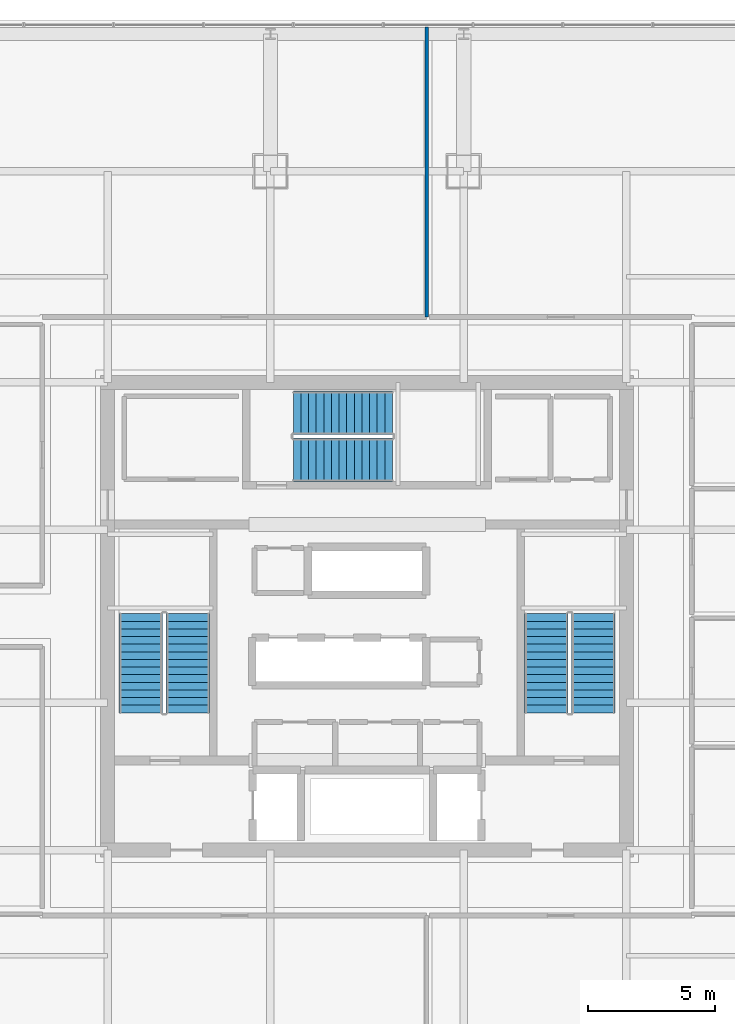
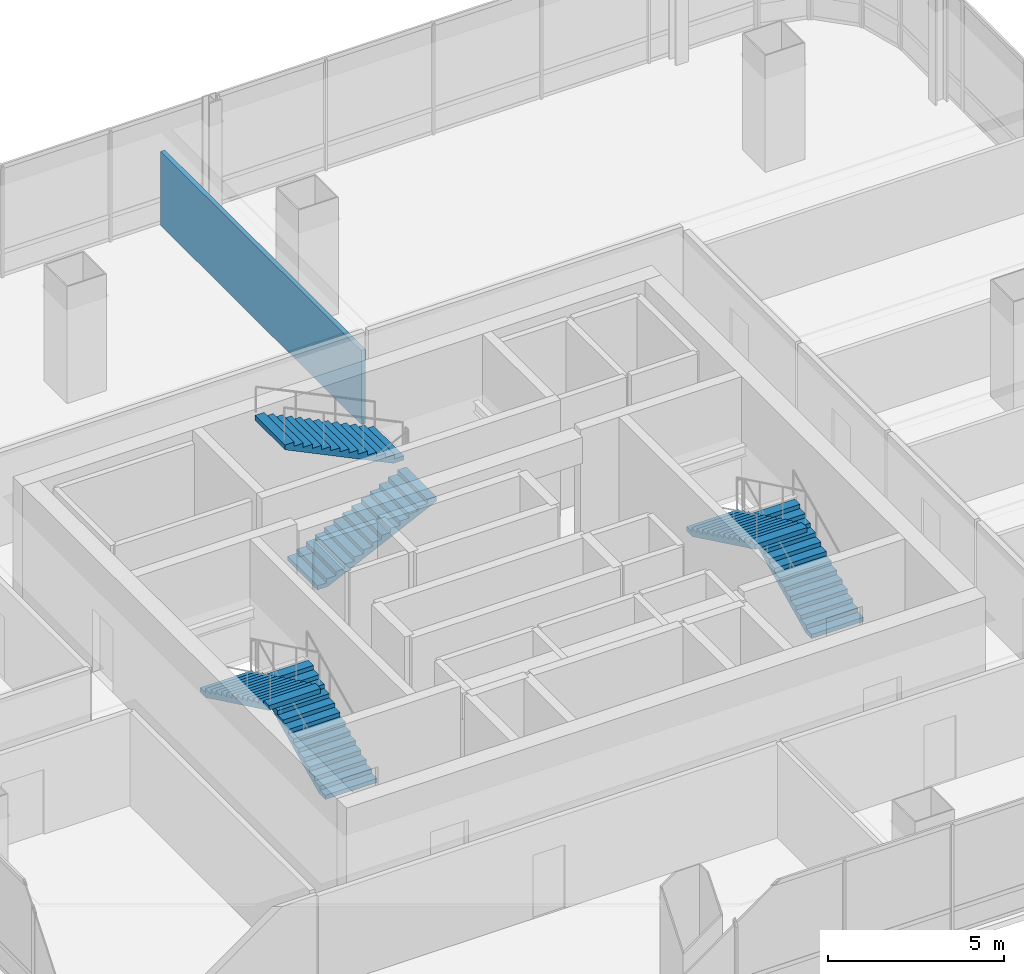
# One storey, part 35 of 39: 6 stair flights, 1 wall, 3 elements without a shape of their own.
"""IFC4 building model written with IfcOpenShell, lengths in metres."""

from ifc_helpers import new_model, si_unit, direction, frame, frame_2d, origin, place, context, subcontext, project, spatial, polyline, rectangle, outline, extrude, material, layer, layer_set, type_object, element, aggregate, save


model = new_model("IFC4")

# Units and contexts
model_context = context("Model", 3, precision=1e-05, world=origin(), true_north=direction((0.0, 1.0)))
body_context = subcontext(model_context, "Body", "Model", "MODEL_VIEW")
ifc_project = project(units=[si_unit("LENGTHUNIT", "METRE"), si_unit("AREAUNIT", "SQUARE_METRE"), si_unit("VOLUMEUNIT", "CUBIC_METRE"), si_unit("PLANEANGLEUNIT", "RADIAN"), si_unit("MASSUNIT", "GRAM", prefix="KILO")], contexts=[model_context])

# Site, building, storey
site_placement = place(None, origin())
site = spatial("IfcSite", under=ifc_project, at=site_placement, CompositionType="ELEMENT")
building_placement = place(site_placement, origin())
building = spatial("IfcBuilding", under=site, at=building_placement, Name="Punatoya Terracotta Tower", CompositionType="ELEMENT")
storey_placement = place(building_placement, frame((0.0, 0.0, 275.699951171875)))
storey = spatial("IfcBuildingStorey", under=building, at=storey_placement, Name="L65", CompositionType="ELEMENT", Elevation=275.699951171875)

# Wall
ifc_material_1 = material(Name="Acoustic Gypsum + Steel Stud", Category="steel")
ifc_layer = layer(ifc_material_1, 0.139892578125)
ifc_layer_set = layer_set([ifc_layer], Name="Acoustic Gypsum + Steel Stud")
wall_type = type_object("IfcWallType", Name="WL-OFF-140", PredefinedType="PARTITIONING", material=ifc_layer_set)
wall_placement = place(storey_placement, frame((2.340087890625, 23.169921875, 0.0), z_axis=(0.0, 0.0, 1.0), x_axis=(0.0, -1.0, 0.0)))
element("IfcWall", 1, at=wall_placement, inside=storey, type_object=wall_type, Name="L65 Quantitative Practice Office Partition 41", PredefinedType="PARTITIONING", context=body_context, shape_type="SweptSolid", body=[
    extrude(rectangle(XDim=11.39990234375, YDim=0.139892578125, at=frame_2d((5.699951171875, 0.0))), origin(), (0.0, 0.0, 1.0), 2.56396484375),
])

# Stair, stair flights
ifc_material_2 = material(Name="Concrete C40/50", Category="concrete")
stair_type_1 = type_object("IfcStairType", Name="STR-CORE-1550", PredefinedType="HALF_TURN_STAIR", material=ifc_material_2)
stair_1_placement = place(storey_placement, origin())
stair_1 = element("IfcStair", 2, at=stair_1_placement, inside=storey, type_object=stair_type_1, Name="L65 Protected Core Exit Stair ST-1", PredefinedType="HALF_TURN_STAIR")
stair_flight_type_1 = type_object("IfcStairFlightType", Name="SFL-CORE-1550", PredefinedType="STRAIGHT", material=ifc_material_2)
stair_flight_1_placement = place(storey_placement, frame((-7.050048828125, -3.800048828125, 0.0), z_axis=(0.0, 0.0, 1.0), x_axis=(0.0, 1.0, 0.0)))
stair_flight_1 = element("IfcStairFlight", 3, at=stair_flight_1_placement, type_object=stair_flight_type_1, Name="ST-1 flight 1", NumberOfRisers=14, NumberOfTreads=13, PredefinedType="STRAIGHT", RiserHeight=0.144642857, TreadLength=0.3, context=body_context, shape_type="SweptSolid", body=[
    extrude(outline(polyline([(0.0, 0.0), (0.0, 0.14453125), (0.300048828125, 0.14453125), (0.300048828125, 0.289306640625), (0.60009765625, 0.289306640625), (0.60009765625, 0.433837890625), (0.89990234375, 0.433837890625), (0.89990234375, 0.57861328125), (1.199951171875, 0.57861328125), (1.199951171875, 0.72314453125), (1.5, 0.72314453125), (1.5, 0.867919921875), (1.800048828125, 0.867919921875), (1.800048828125, 1.012451171875), (2.10009765625, 1.012451171875), (2.10009765625, 1.1572265625), (2.39990234375, 1.1572265625), (2.39990234375, 1.3017578125), (2.699951171875, 1.3017578125), (2.699951171875, 1.446533203125), (3.0, 1.446533203125), (3.0, 1.591064453125), (3.300048828125, 1.591064453125), (3.300048828125, 1.735595703125), (3.60009765625, 1.735595703125), (3.60009765625, 1.88037109375), (3.89990234375, 1.88037109375), (3.89990234375, 2.02490234375), (3.89990234375, 1.7138671875), (0.34521484375, 0.0), (0.0, 0.0)])), frame((0.0, 0.85009765625, 0.0), z_axis=(0.0, -1.0, 0.0), x_axis=(1.0, 0.0, 0.0)), (0.0, 0.0, 1.0), 1.699951171875),
])
stair_flight_2_placement = place(storey_placement, frame((-8.89990234375, 0.10009765625, 2.025146484375), z_axis=(0.0, 0.0, 1.0), x_axis=(0.0, -1.0, 0.0)))
stair_flight_2 = element("IfcStairFlight", 4, at=stair_flight_2_placement, type_object=stair_flight_type_1, Name="ST-1 flight 2", NumberOfRisers=14, NumberOfTreads=13, PredefinedType="STRAIGHT", RiserHeight=0.144642857, TreadLength=0.3, context=body_context, shape_type="SweptSolid", body=[
    extrude(outline(polyline([(0.0, 0.0), (0.0, 0.14453125), (0.300048828125, 0.14453125), (0.300048828125, 0.289306640625), (0.60009765625, 0.289306640625), (0.60009765625, 0.433837890625), (0.89990234375, 0.433837890625), (0.89990234375, 0.57861328125), (1.199951171875, 0.57861328125), (1.199951171875, 0.72314453125), (1.5, 0.72314453125), (1.5, 0.867919921875), (1.800048828125, 0.867919921875), (1.800048828125, 1.012451171875), (2.10009765625, 1.012451171875), (2.10009765625, 1.1572265625), (2.39990234375, 1.1572265625), (2.39990234375, 1.3017578125), (2.699951171875, 1.3017578125), (2.699951171875, 1.446533203125), (3.0, 1.446533203125), (3.0, 1.591064453125), (3.300048828125, 1.591064453125), (3.300048828125, 1.735595703125), (3.60009765625, 1.735595703125), (3.60009765625, 1.88037109375), (3.89990234375, 1.88037109375), (3.89990234375, 2.02490234375), (3.89990234375, 1.7138671875), (0.34521484375, 0.0), (0.0, 0.0)])), frame((0.0, 0.85009765625, 0.0), z_axis=(0.0, -1.0, 0.0), x_axis=(1.0, 0.0, 0.0)), (0.0, 0.0, 1.0), 1.699951171875),
])
aggregate(stair_1, [stair_flight_1, stair_flight_2])

stair_type_2 = type_object("IfcStairType", Name="STR-LOB-1650", PredefinedType="HALF_TURN_STAIR", material=ifc_material_2)
stair_2_placement = place(storey_placement, origin())
stair_2 = element("IfcStair", 5, at=stair_2_placement, inside=storey, type_object=stair_type_2, Name="L65 Protected Core Exit Stair ST-2", PredefinedType="HALF_TURN_STAIR")
stair_flight_type_2 = type_object("IfcStairFlightType", Name="SFL-LOB-1650", PredefinedType="STRAIGHT", material=ifc_material_2)
stair_flight_3_placement = place(storey_placement, frame((8.89990234375, -3.800048828125, 0.0), z_axis=(0.0, 0.0, 1.0), x_axis=(0.0, 1.0, 0.0)))
stair_flight_3 = element("IfcStairFlight", 6, at=stair_flight_3_placement, type_object=stair_flight_type_2, Name="ST-2 flight 1", NumberOfRisers=14, NumberOfTreads=13, PredefinedType="STRAIGHT", RiserHeight=0.144642857, TreadLength=0.3, context=body_context, shape_type="SweptSolid", body=[
    extrude(outline(polyline([(0.0, 0.0), (0.0, 0.14453125), (0.300048828125, 0.14453125), (0.300048828125, 0.289306640625), (0.60009765625, 0.289306640625), (0.60009765625, 0.433837890625), (0.89990234375, 0.433837890625), (0.89990234375, 0.57861328125), (1.199951171875, 0.57861328125), (1.199951171875, 0.72314453125), (1.5, 0.72314453125), (1.5, 0.867919921875), (1.800048828125, 0.867919921875), (1.800048828125, 1.012451171875), (2.10009765625, 1.012451171875), (2.10009765625, 1.1572265625), (2.39990234375, 1.1572265625), (2.39990234375, 1.3017578125), (2.699951171875, 1.3017578125), (2.699951171875, 1.446533203125), (3.0, 1.446533203125), (3.0, 1.591064453125), (3.300048828125, 1.591064453125), (3.300048828125, 1.735595703125), (3.60009765625, 1.735595703125), (3.60009765625, 1.88037109375), (3.89990234375, 1.88037109375), (3.89990234375, 2.02490234375), (3.89990234375, 1.7138671875), (0.34521484375, 0.0), (0.0, 0.0)])), frame((0.0, 0.85009765625, 0.0), z_axis=(0.0, -1.0, 0.0), x_axis=(1.0, 0.0, 0.0)), (0.0, 0.0, 1.0), 1.699951171875),
])
stair_flight_4_placement = place(storey_placement, frame((7.050048828125, 0.10009765625, 2.025146484375), z_axis=(0.0, 0.0, 1.0), x_axis=(0.0, -1.0, 0.0)))
stair_flight_4 = element("IfcStairFlight", 7, at=stair_flight_4_placement, type_object=stair_flight_type_2, Name="ST-2 flight 2", NumberOfRisers=14, NumberOfTreads=13, PredefinedType="STRAIGHT", RiserHeight=0.144642857, TreadLength=0.3, context=body_context, shape_type="SweptSolid", body=[
    extrude(outline(polyline([(0.0, 0.0), (0.0, 0.14453125), (0.300048828125, 0.14453125), (0.300048828125, 0.289306640625), (0.60009765625, 0.289306640625), (0.60009765625, 0.433837890625), (0.89990234375, 0.433837890625), (0.89990234375, 0.57861328125), (1.199951171875, 0.57861328125), (1.199951171875, 0.72314453125), (1.5, 0.72314453125), (1.5, 0.867919921875), (1.800048828125, 0.867919921875), (1.800048828125, 1.012451171875), (2.10009765625, 1.012451171875), (2.10009765625, 1.1572265625), (2.39990234375, 1.1572265625), (2.39990234375, 1.3017578125), (2.699951171875, 1.3017578125), (2.699951171875, 1.446533203125), (3.0, 1.446533203125), (3.0, 1.591064453125), (3.300048828125, 1.591064453125), (3.300048828125, 1.735595703125), (3.60009765625, 1.735595703125), (3.60009765625, 1.88037109375), (3.89990234375, 1.88037109375), (3.89990234375, 2.02490234375), (3.89990234375, 1.7138671875), (0.34521484375, 0.0), (0.0, 0.0)])), frame((0.0, 0.85009765625, 0.0), z_axis=(0.0, -1.0, 0.0), x_axis=(1.0, 0.0, 0.0)), (0.0, 0.0, 1.0), 1.699951171875),
])
aggregate(stair_2, [stair_flight_3, stair_flight_4])

stair_type_3 = type_object("IfcStairType", Name="STR-TER-1450", PredefinedType="HALF_TURN_STAIR", material=ifc_material_2)
stair_3_placement = place(storey_placement, origin())
stair_3 = element("IfcStair", 8, at=stair_3_placement, inside=storey, type_object=stair_type_3, Name="L65 Protected Core Exit Stair ST-3", PredefinedType="HALF_TURN_STAIR")
stair_flight_type_3 = type_object("IfcStairFlightType", Name="SFL-TER-1450", PredefinedType="STRAIGHT", material=ifc_material_2)
stair_flight_5_placement = place(storey_placement, frame((-2.89990234375, 6.14990234375, 0.0), z_axis=(0.0, 0.0, 1.0), x_axis=(1.0, 0.0, 0.0)))
stair_flight_5 = element("IfcStairFlight", 9, at=stair_flight_5_placement, type_object=stair_flight_type_3, Name="ST-3 flight 1", NumberOfRisers=14, NumberOfTreads=13, PredefinedType="STRAIGHT", RiserHeight=0.144642857, TreadLength=0.3, context=body_context, shape_type="SweptSolid", body=[
    extrude(outline(polyline([(0.0, 0.0), (0.0, 0.14453125), (0.300048828125, 0.14453125), (0.300048828125, 0.289306640625), (0.60009765625, 0.289306640625), (0.60009765625, 0.433837890625), (0.89990234375, 0.433837890625), (0.89990234375, 0.57861328125), (1.199951171875, 0.57861328125), (1.199951171875, 0.72314453125), (1.5, 0.72314453125), (1.5, 0.867919921875), (1.800048828125, 0.867919921875), (1.800048828125, 1.012451171875), (2.10009765625, 1.012451171875), (2.10009765625, 1.1572265625), (2.39990234375, 1.1572265625), (2.39990234375, 1.3017578125), (2.699951171875, 1.3017578125), (2.699951171875, 1.446533203125), (3.0, 1.446533203125), (3.0, 1.591064453125), (3.300048828125, 1.591064453125), (3.300048828125, 1.735595703125), (3.60009765625, 1.735595703125), (3.60009765625, 1.88037109375), (3.89990234375, 1.88037109375), (3.89990234375, 2.02490234375), (3.89990234375, 1.7138671875), (0.34521484375, 0.0), (0.0, 0.0)])), frame((0.0, 0.85009765625, 0.0), z_axis=(0.0, -1.0, 0.0), x_axis=(1.0, 0.0, 0.0)), (0.0, 0.0, 1.0), 1.699951171875),
])
stair_flight_6_placement = place(storey_placement, frame((1.0, 8.0, 2.025146484375), z_axis=(0.0, 0.0, 1.0), x_axis=(-1.0, 0.0, 0.0)))
stair_flight_6 = element("IfcStairFlight", 10, at=stair_flight_6_placement, type_object=stair_flight_type_3, Name="ST-3 flight 2", NumberOfRisers=14, NumberOfTreads=13, PredefinedType="STRAIGHT", RiserHeight=0.144642857, TreadLength=0.3, context=body_context, shape_type="SweptSolid", body=[
    extrude(outline(polyline([(0.0, 0.0), (0.0, 0.14453125), (0.300048828125, 0.14453125), (0.300048828125, 0.289306640625), (0.60009765625, 0.289306640625), (0.60009765625, 0.433837890625), (0.89990234375, 0.433837890625), (0.89990234375, 0.57861328125), (1.199951171875, 0.57861328125), (1.199951171875, 0.72314453125), (1.5, 0.72314453125), (1.5, 0.867919921875), (1.800048828125, 0.867919921875), (1.800048828125, 1.012451171875), (2.10009765625, 1.012451171875), (2.10009765625, 1.1572265625), (2.39990234375, 1.1572265625), (2.39990234375, 1.3017578125), (2.699951171875, 1.3017578125), (2.699951171875, 1.446533203125), (3.0, 1.446533203125), (3.0, 1.591064453125), (3.300048828125, 1.591064453125), (3.300048828125, 1.735595703125), (3.60009765625, 1.735595703125), (3.60009765625, 1.88037109375), (3.89990234375, 1.88037109375), (3.89990234375, 2.02490234375), (3.89990234375, 1.7138671875), (0.34521484375, 0.0), (0.0, 0.0)])), frame((0.0, 0.85009765625, 0.0), z_axis=(0.0, -1.0, 0.0), x_axis=(1.0, 0.0, 0.0)), (0.0, 0.0, 1.0), 1.699951171875),
])
aggregate(stair_3, [stair_flight_5, stair_flight_6])

save(model, "model.ifc")
